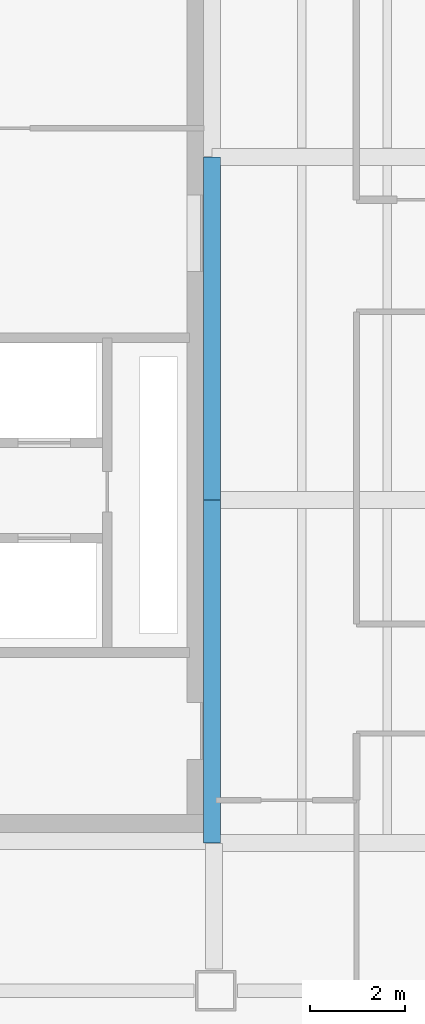
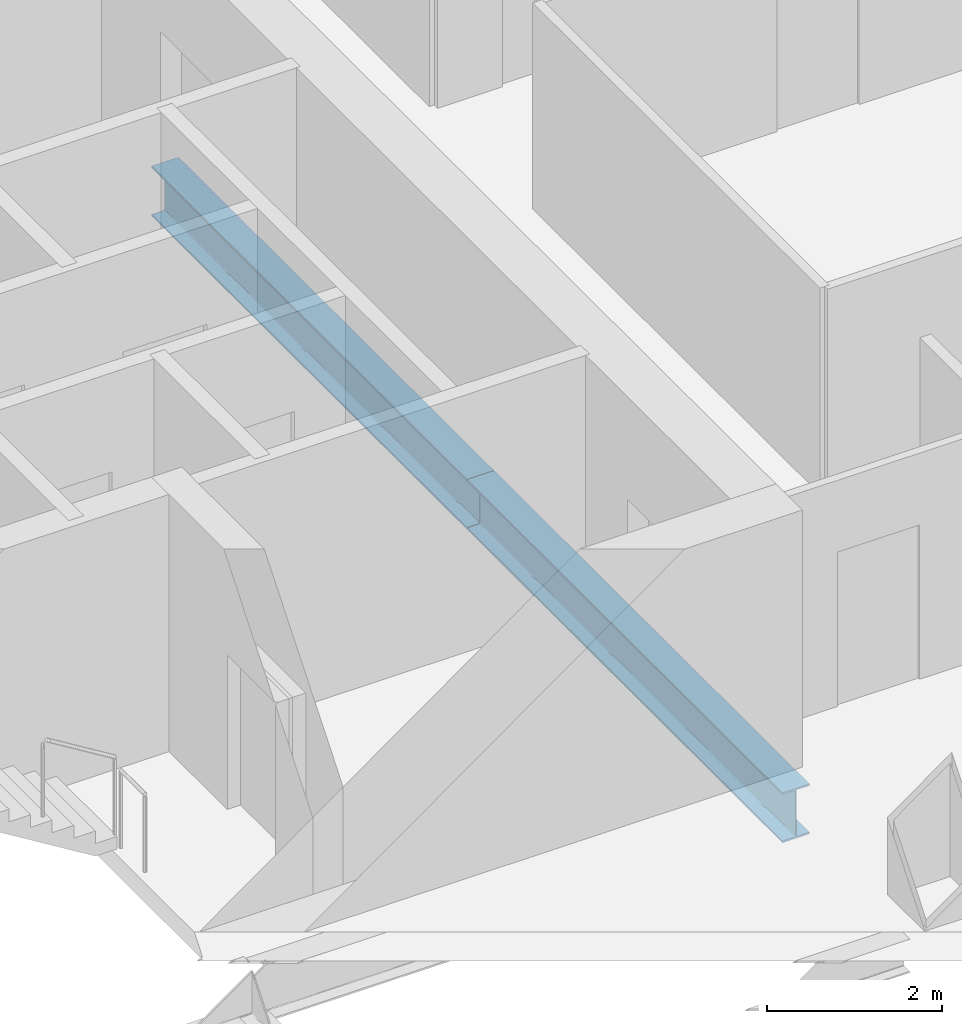
# One storey, part 3 of 23: 2 beams.
"""IFC4 building model written with IfcOpenShell, lengths in metres."""

from ifc_helpers import new_model, si_unit, direction, frame, origin, origin_2d, place, context, subcontext, project, spatial, i_section, extrude, material, material_profile, profile_set, type_object, element, save


model = new_model("IFC4")

# Units and contexts
model_context = context("Model", 3, precision=1e-05, world=origin(), true_north=direction((0.0, 1.0)))
body_context = subcontext(model_context, "Body", "Model", "MODEL_VIEW")
ifc_project = project(units=[si_unit("LENGTHUNIT", "METRE"), si_unit("AREAUNIT", "SQUARE_METRE"), si_unit("VOLUMEUNIT", "CUBIC_METRE"), si_unit("PLANEANGLEUNIT", "RADIAN"), si_unit("MASSUNIT", "GRAM", prefix="KILO")], contexts=[model_context])

# Site, building, storey
site_placement = place(None, origin())
site = spatial("IfcSite", under=ifc_project, at=site_placement, CompositionType="ELEMENT")
building_placement = place(site_placement, origin())
building = spatial("IfcBuilding", under=site, at=building_placement, Name="Cobrela Telecom Tower", CompositionType="ELEMENT")
storey_placement = place(building_placement, frame((0.0, 0.0, 148.39990234375)))
storey = spatial("IfcBuildingStorey", under=building, at=storey_placement, Name="L37", CompositionType="ELEMENT", Elevation=148.39990234375)

# Beams
ifc_material = material(Name="Steel ASTM A992 Grade 50", Category="steel")
ifc_material_profile = material_profile(ifc_material, i_section(OverallWidth=0.35595703125, OverallDepth=0.696044921875, WebThickness=0.015380859375, FlangeThickness=0.024658203125, FilletRadius=0.01806640625, at=origin_2d()), Name="W27X146")
ifc_profile_set = profile_set([ifc_material_profile], Name="Steel ASTM A992 Grade 50")
beam_type = type_object("IfcBeamType", Name="BM-GIRD-05", PredefinedType="USERDEFINED", material=ifc_profile_set)
for number, where, z_axis, x_axis, name in (
    (1, (14.320068359375, 7.205078125, -0.617919921875), (0.0, 1.0, 0.0), (-1.0, 0.0, 0.0), "L37 Primary Girder Y34"),
    (2, (14.320068359375, 14.405029296875, -0.617919921875), (0.0, 1.0, 0.0), (-1.0, 0.0, 0.0), "L37 Primary Girder Y35"),
):
    element("IfcBeam", number, at=place(storey_placement, frame(where, z_axis=z_axis, x_axis=x_axis)), inside=storey, type_object=beam_type, Name=name, ObjectType="GIRDER", PredefinedType="USERDEFINED", context=body_context, shape_type="SweptSolid", body=[
        extrude(i_section(OverallWidth=0.35595703125, OverallDepth=0.696044921875, WebThickness=0.015380859375, FlangeThickness=0.024658203125, FilletRadius=0.01806640625, at=origin_2d()), origin(), (0.0, 0.0, 1.0), 7.18994140625),
    ])

save(model, "model.ifc")
